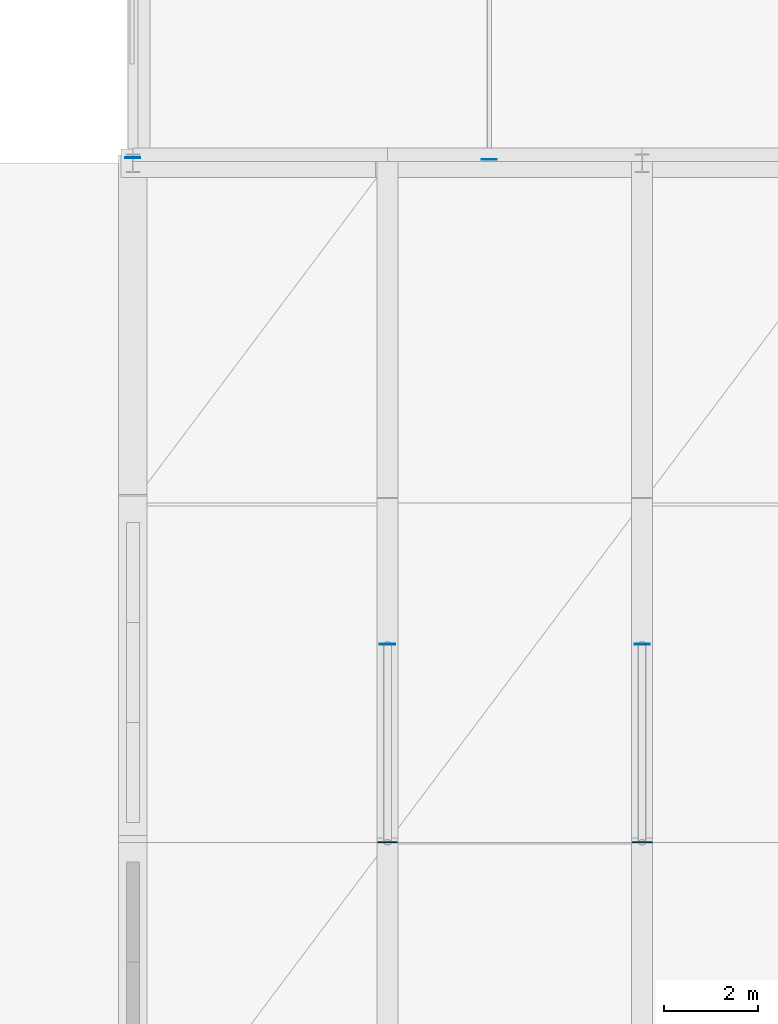
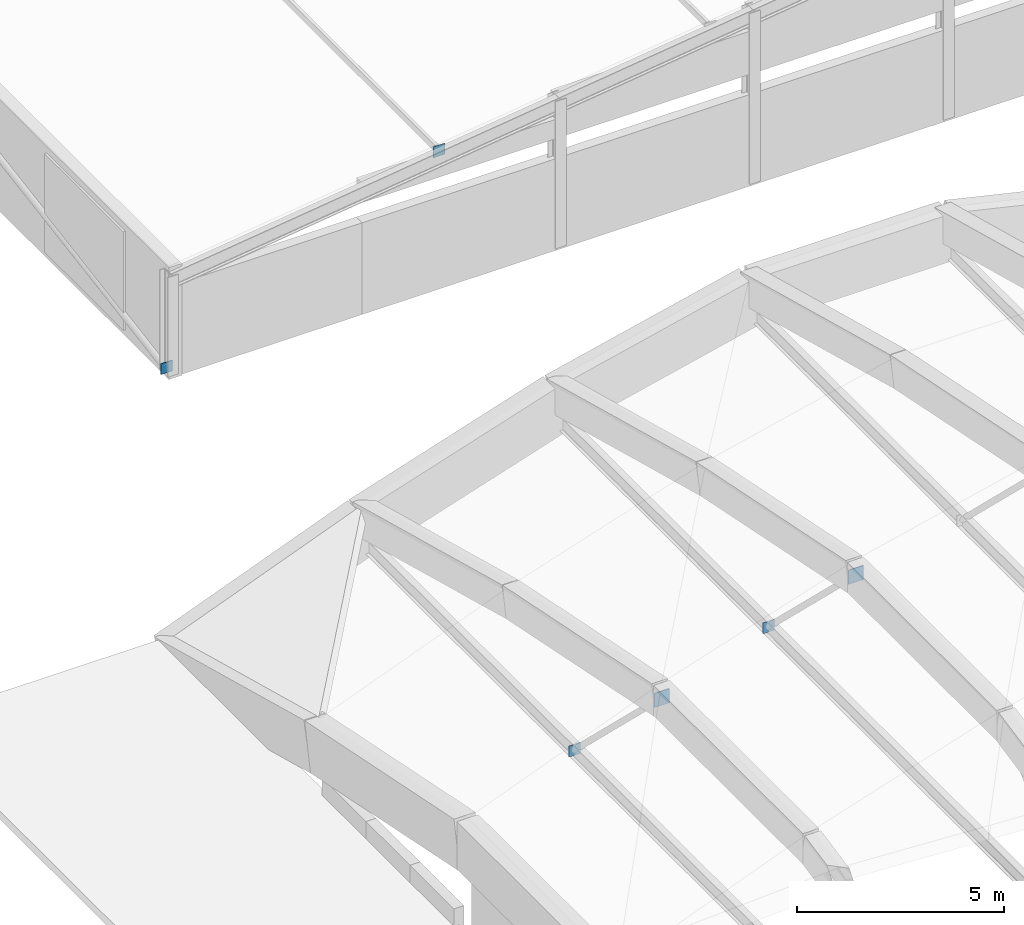
# One storey, part 17 of 27: 6 plates.
"""IFC4 building model written with IfcOpenShell, lengths in metres."""

from ifc_helpers import new_model, si_unit, direction, frame, origin, origin_2d, place, context, subcontext, project, spatial, rectangle, extrude, material, layer, layer_set, type_object, element, save


model = new_model("IFC4")

# Units and contexts
model_context = context("Model", 3, precision=1e-05, world=origin(), true_north=direction((0.0, 1.0)))
body_context = subcontext(model_context, "Body", "Model", "MODEL_VIEW")
ifc_project = project(units=[si_unit("LENGTHUNIT", "METRE"), si_unit("AREAUNIT", "SQUARE_METRE"), si_unit("VOLUMEUNIT", "CUBIC_METRE"), si_unit("PLANEANGLEUNIT", "RADIAN"), si_unit("MASSUNIT", "GRAM", prefix="KILO")], contexts=[model_context])

# Site, building, storey
site_placement = place(None, origin())
site = spatial("IfcSite", under=ifc_project, at=site_placement, CompositionType="ELEMENT")
building_placement = place(site_placement, origin())
building = spatial("IfcBuilding", under=site, at=building_placement, Name="Tazoul Stagehouse", CompositionType="ELEMENT")
storey_placement = place(building_placement, frame((0.0, 0.0, 24.89990234375)))
storey = spatial("IfcBuildingStorey", under=building, at=storey_placement, Name="RF", CompositionType="ELEMENT", Elevation=24.89990234375)

# Plates
ifc_material = material(Name="Steel S355", Category="steel")
ifc_layer_1 = layer(ifc_material, 0.02001953125, Name="Steel S355")
ifc_layer_set_1 = layer_set([ifc_layer_1], Name="Steel S355")
plate_type_1 = type_object("IfcPlateType", Name="Steel Brace End-Cap Plate 320x320x20", PredefinedType="USERDEFINED", material=ifc_layer_set_1)
for number, where, z_axis, x_axis, name in (
    (1, (63.0, 77.60009765625, -6.9951171875), (0.0, 0.0, 1.0), (0.0, -1.0, 0.0), "RF Gusset End-Cap Plate GP-01 (SHELL-STRUT-02N-1)"),
    (2, (68.39990234375, 77.60009765625, -5.26025390625), (0.0, 0.0, 1.0), (0.0, -1.0, 0.0), "RF Gusset End-Cap Plate GP-01 (SHELL-STRUT-03N-1)"),
    (3, (65.159912109375, 87.8798828125, 3.64990234375), (0.0, 0.0, 1.0), (0.0, 1.0, 0.0), "RF Purlin End-Cap Plate GP-01 (PURL-V2-W1-1-1)"),
):
    element("IfcPlate", number, at=place(storey_placement, frame(where, z_axis=z_axis, x_axis=x_axis)), inside=storey, type_object=plate_type_1, Name=name, ObjectType="GUSSET PLATE", PredefinedType="USERDEFINED", context=body_context, shape_type="SweptSolid", body=[
        extrude(rectangle(XDim=0.02001953125, YDim=0.320068359375, at=origin_2d()), origin(), (0.0, 0.0, 1.0), 0.320068359375),
    ])
ifc_layer_2 = layer(ifc_material, 0.02001953125, Name="Steel S355")
ifc_layer_set_2 = layer_set([ifc_layer_2], Name="Steel S355")
plate_type_2 = type_object("IfcPlateType", Name="Steel Brace End-Cap Plate 320x320x20 (Exterior)", PredefinedType="USERDEFINED", material=ifc_layer_set_2)
plate_placement = place(storey_placement, frame((57.60009765625, 87.919921875, -0.10986328125), z_axis=(0.0, 0.0, 1.0), x_axis=(0.0, 1.0, 0.0)))
element("IfcPlate", 4, at=plate_placement, inside=storey, type_object=plate_type_2, Name="RF Gusset End-Cap Plate GP-01E (BR-FT-RF-W1-1)", ObjectType="GUSSET PLATE", PredefinedType="USERDEFINED", context=body_context, shape_type="SweptSolid", body=[
    extrude(rectangle(XDim=0.02001953125, YDim=0.320068359375, at=origin_2d()), origin(), (0.0, 0.0, 1.0), 0.320068359375),
])
ifc_layer_3 = layer(ifc_material, 0.02392578125, Name="Steel S355")
ifc_layer_set_3 = layer_set([ifc_layer_3], Name="Steel S355")
plate_type_3 = type_object("IfcPlateType", Name="Steel Gusset Node Plate 420x420x24", PredefinedType="USERDEFINED", material=ifc_layer_set_3)
for number, where, z_axis, x_axis, name in (
    (5, (63.0, 73.39990234375, -2.9775390625), (0.0, 0.0, 1.0), (0.0, -1.0, 0.0), "RF Gusset End-Cap Plate GP-02 (SHELL-STRUT-02N-2)"),
    (6, (68.39990234375, 73.39990234375, -1.242919921875), (0.0, 0.0, 1.0), (0.0, -1.0, 0.0), "RF Gusset End-Cap Plate GP-02 (SHELL-STRUT-03N-2)"),
):
    element("IfcPlate", number, at=place(storey_placement, frame(where, z_axis=z_axis, x_axis=x_axis)), inside=storey, type_object=plate_type_3, Name=name, ObjectType="GUSSET PLATE", PredefinedType="USERDEFINED", context=body_context, shape_type="SweptSolid", body=[
        extrude(rectangle(XDim=0.02392578125, YDim=0.419921875, at=origin_2d()), origin(), (0.0, 0.0, 1.0), 0.419921875),
    ])

save(model, "model.ifc")
